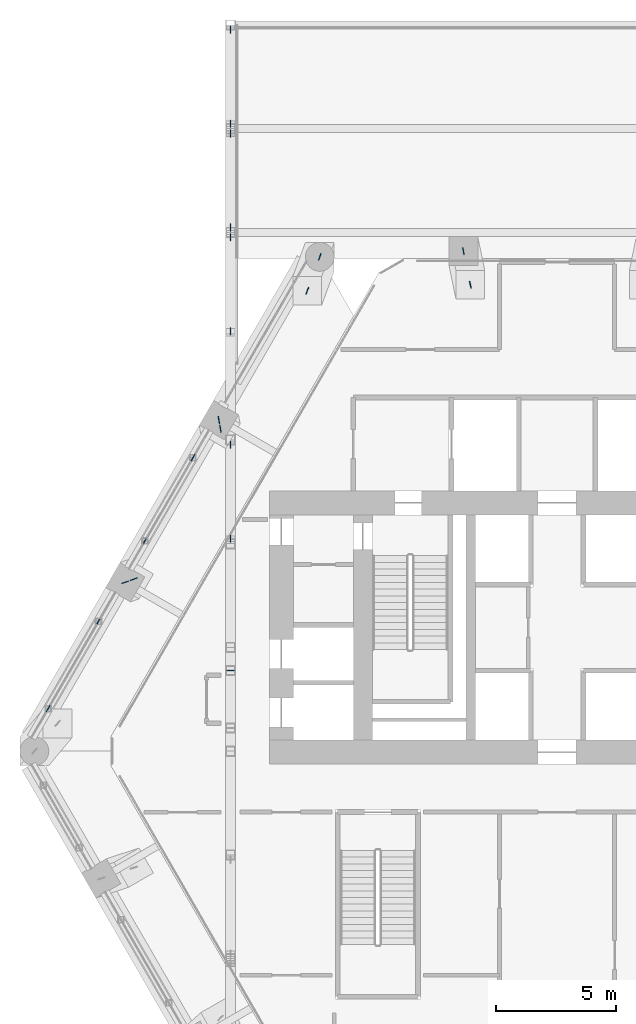
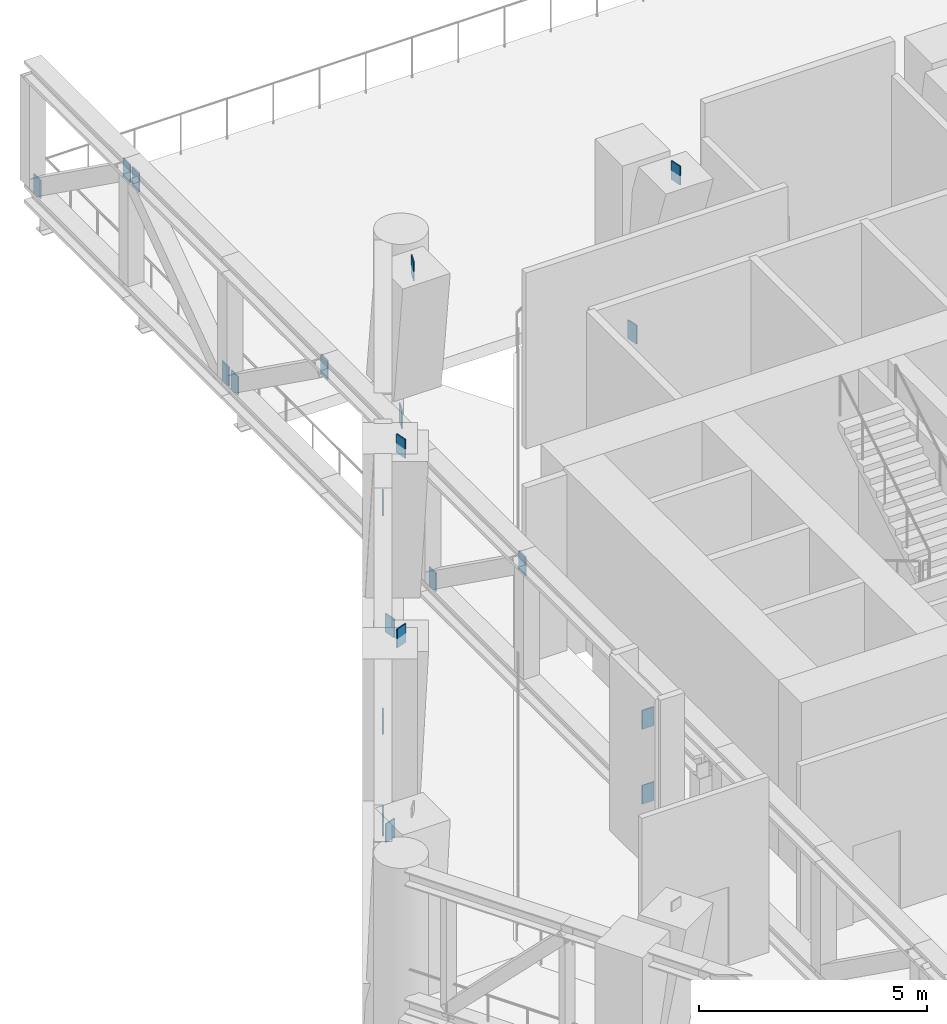
# One storey, part 16 of 22: 22 discrete accessories.
"""IFC4 building model written with IfcOpenShell, lengths in metres."""

from ifc_helpers import new_model, si_unit, direction, frame, origin, origin_2d, place, context, subcontext, project, spatial, rectangle, extrude, material, layer, layer_set, type_object, element, save


model = new_model("IFC4")

# Units and contexts
model_context = context("Model", 3, precision=1e-05, world=origin(), true_north=direction((0.0, 1.0)))
body_context = subcontext(model_context, "Body", "Model", "MODEL_VIEW")
ifc_project = project(units=[si_unit("LENGTHUNIT", "METRE"), si_unit("AREAUNIT", "SQUARE_METRE"), si_unit("VOLUMEUNIT", "CUBIC_METRE"), si_unit("PLANEANGLEUNIT", "RADIAN"), si_unit("MASSUNIT", "GRAM", prefix="KILO")], contexts=[model_context])

# Site, building, storey
site_placement = place(None, origin())
site = spatial("IfcSite", under=ifc_project, at=site_placement, CompositionType="ELEMENT")
building_placement = place(site_placement, origin())
building = spatial("IfcBuilding", under=site, at=building_placement, Name="Ostrander Bayou Hotel Tower", CompositionType="ELEMENT")
storey_placement = place(building_placement, frame((0.0, 0.0, 146.0)))
storey = spatial("IfcBuildingStorey", under=building, at=storey_placement, Name="L36", CompositionType="ELEMENT", Elevation=146.0)

# Discrete accessories
ifc_material = material(Name="Steel ASTM A572 Gr 50", Category="steel")
ifc_layer = layer(ifc_material, 0.030029296875)
ifc_layer_set = layer_set([ifc_layer], Name="GP1 gusset plate 30 mm")
discrete_accessory_type = type_object("IfcDiscreteAccessoryType", Name="GP1 gusset plate 30 mm", PredefinedType="BRACKET", material=ifc_layer_set)
for number, where, z_axis, x_axis, name in (
    (1, (-17.190185546875, 7.61279296875, 0.130615234375), (0.0, 0.0, 1.0), (0.499984884929, 0.866034130299, 0.0), "GP1 gusset plate belt 17"),
    (2, (-15.18798828125, 11.08056640625, 3.16943359375), (0.0, 0.0, 1.0), (0.499984884929, 0.866034130299, 0.0), "GP1 gusset plate belt 18"),
    (3, (-19.12744140625, 4.25732421875, 0.130615234375), (0.0, 0.0, 1.0), (-0.5, -0.866025403784, 0.0), "GP1 gusset plate belt 19"),
    (4, (-21.227783203125, 0.61962890625, 3.16943359375), (0.0, 0.0, 1.0), (-0.5, -0.866025403784, 0.0), "GP1 gusset plate belt 20"),
    (5, (-13.6201171875, 28.933837890625, 0.247802734375), (0.0, 0.0, 1.0), (0.0, -1.0, 0.0), "GP1 gusset plate bar 113"),
    (6, (-13.6201171875, 25.0126953125, 3.05224609375), (0.0, 0.0, 1.0), (0.0, -1.0, 0.0), "GP1 gusset plate bar 114"),
    (7, (-13.6201171875, 20.68505859375, 0.247802734375), (0.0, 0.0, 1.0), (0.0, 1.0, 0.0), "GP1 gusset plate bar 115"),
    (8, (-13.6201171875, 24.606201171875, 3.05224609375), (0.0, 0.0, 1.0), (0.0, 1.0, 0.0), "GP1 gusset plate bar 116"),
    (9, (-13.6201171875, 20.278564453125, 0.247802734375), (0.0, 0.0, 1.0), (0.0, -1.0, 0.0), "GP1 gusset plate bar 117"),
    (10, (-13.6201171875, 16.357421875, 3.05224609375), (0.0, 0.0, 1.0), (0.0, -1.0, 0.0), "GP1 gusset plate bar 118"),
    (11, (-13.6201171875, 11.623291015625, 0.247802734375), (0.0, 0.0, 1.0), (0.0, -1.0, 0.0), "GP1 gusset plate bar 119"),
    (12, (-13.6201171875, 7.701904296875, 3.05224609375), (0.0, 0.0, 1.0), (0.0, -1.0, 0.0), "GP1 gusset plate bar 120"),
    (13, (-13.6201171875, 2.20751953125, 0.247802734375), (0.0, 0.0, 1.0), (1.0, 0.0, 0.0), "GP1 gusset plate bar 121"),
    (14, (-13.6201171875, 2.20751953125, 2.25), (0.0, 0.0, 1.0), (1.0, 0.0, 0.0), "GP1 gusset plate bar 122"),
    (15, (-9.899169921875, 19.458740234375, -1.449951171875), (0.0, 0.0, 1.0), (-0.344872288836, -0.938649617479, 0.0), "GP1 gusset plate belt 85"),
    (16, (-10.41845703125, 18.04541015625, 3.550048828125), (0.0, 0.0, 1.0), (-0.344872288836, -0.938649617479, 0.0), "GP1 gusset plate belt 86"),
    (17, (-3.90673828125, 19.699951171875, -1.449951171875), (0.0, 0.0, 1.0), (0.20189849753, -0.979406451222, 0.0), "GP1 gusset plate belt 99"),
    (18, (-3.6181640625, 18.300048828125, 3.550048828125), (0.0, 0.0, 1.0), (0.20189849753, -0.979406451222, 0.0), "GP1 gusset plate belt 100"),
    (19, (-14.105712890625, 12.655029296875, -1.449951171875), (0.0, 0.0, 1.0), (0.176328880208, -0.984331309065, 0.0), "GP1 gusset plate belt 101"),
    (20, (-14.039306640625, 12.283203125, 3.550048828125), (0.0, 0.0, 1.0), (0.176328880208, -0.984331309065, 0.0), "GP1 gusset plate belt 102"),
    (21, (-18.012451171875, 5.888427734375, -1.449951171875), (0.0, 0.0, 1.0), (0.940525527603, 0.339723022369, 0.0), "GP1 gusset plate belt 103"),
    (22, (-17.6572265625, 6.0166015625, 3.550048828125), (0.0, 0.0, 1.0), (0.940525527603, 0.339723022369, 0.0), "GP1 gusset plate belt 104"),
):
    element("IfcDiscreteAccessory", number, at=place(storey_placement, frame(where, z_axis=z_axis, x_axis=x_axis)), inside=storey, type_object=discrete_accessory_type, Name=name, PredefinedType="BRACKET", context=body_context, shape_type="SweptSolid", body=[
        extrude(rectangle(XDim=0.300048828125, YDim=0.030029296875, at=origin_2d()), origin(), (0.0, 0.0, 1.0), 0.5),
    ])

save(model, "model.ifc")
